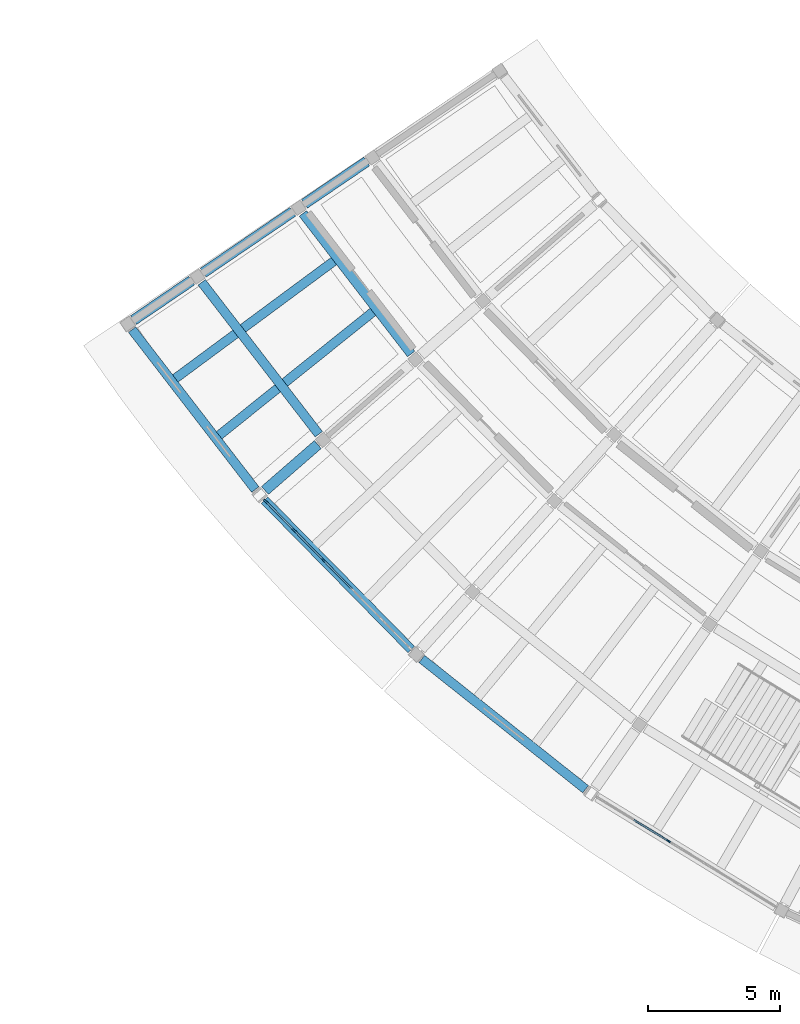
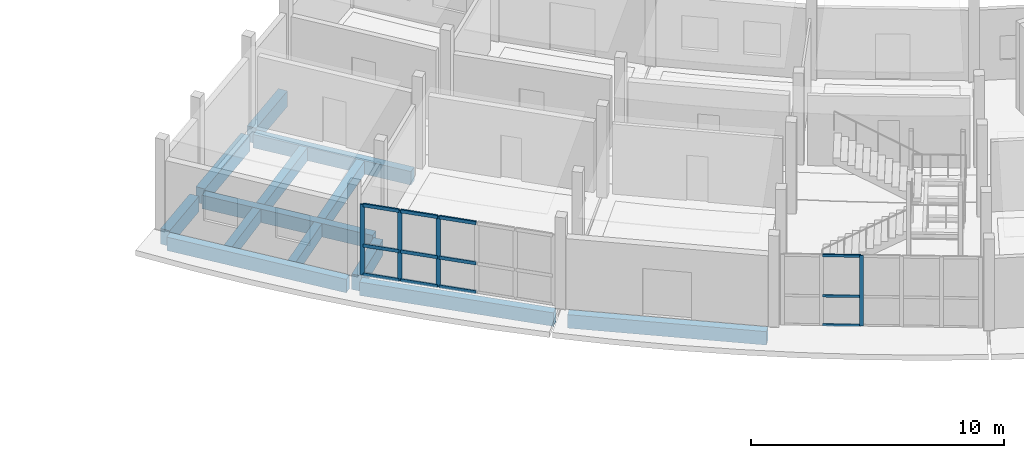
# One storey, part 26 of 92: 16 members, 11 beams, 2 elements without a shape of their own.
"""IFC4 building model written with IfcOpenShell, lengths in metres."""

import ifcopenshell
import ifcopenshell.guid

model = None  # the IFC model being written
_history = None  # IfcOwnerHistory: only IFC2X3 demands one
_inside = {}  # id of a spatial element -> (the spatial element, [elements in it])
_under = {}  # id of a project, library or spatial element -> (it, [spatial elements below it])
_declared = {}  # id of a project -> (the project, [libraries it declares])
_typed = {}  # id of a type object -> (the type object, [elements of that type])
_made_of = {}  # id of a material, layer set ... -> (it, [elements and type objects made of it])


def new_model(schema):
    """Start an empty IFC model of exactly this schema.

    Asked for "IFC4X3", IfcOpenShell would pick the latest addendum, in which some entities
    have other attributes; the version numbers below select the first issue.
    IFC2X3 requires an IfcOwnerHistory on every rooted entity: one is made here for all.
    """
    global model, _history
    if schema == "IFC4X3":
        model = ifcopenshell.file(schema_version=(4, 3, 0, 0))
    else:
        model = ifcopenshell.file(schema=schema)
    _inside.clear()
    _under.clear()
    _declared.clear()
    _typed.clear()
    _made_of.clear()
    _history = None
    if model.schema == "IFC2X3":
        org = make("IfcOrganization", Name="unknown")
        user = make(
            "IfcPersonAndOrganization",
            ThePerson=make("IfcPerson", FamilyName="unknown"),
            TheOrganization=org,
        )
        app = make(
            "IfcApplication",
            ApplicationDeveloper=org,
            Version="unknown",
            ApplicationFullName="unknown",
            ApplicationIdentifier="unknown",
        )
        _history = make(
            "IfcOwnerHistory",
            OwningUser=user,
            OwningApplication=app,
            ChangeAction="ADDED",
            CreationDate=0,
        )
    return model


def make(cls, **values):
    """One entity of the class cls with the attributes given. An attribute that is None is left unset."""
    return model.create_entity(
        cls, **{name: value for name, value in values.items() if value is not None}
    )


def rooted(cls, **values):
    """An entity with a GlobalId (a new one), such as an element, a storey or a relation."""
    return make(cls, GlobalId=ifcopenshell.guid.new(), OwnerHistory=_history, **values)


def si_unit(unit_type, name, prefix=None):
    """IfcSIUnit, for example si_unit("LENGTHUNIT", "METRE", prefix="MILLI")."""
    return make("IfcSIUnit", UnitType=unit_type, Prefix=prefix, Name=name)


def assignment(units):
    """IfcUnitAssignment: the units of a project."""
    return None if units is None else make("IfcUnitAssignment", Units=units)


def point(xyz):
    """IfcCartesianPoint."""
    return None if xyz is None else make("IfcCartesianPoint", Coordinates=xyz)


def direction(xyz):
    """IfcDirection."""
    return None if xyz is None else make("IfcDirection", DirectionRatios=xyz)


def frame(location, z_axis=None, x_axis=None):
    """IfcAxis2Placement3D, a coordinate frame: its origin and axes. An axis left out is left unset."""
    return make(
        "IfcAxis2Placement3D",
        Location=point(location),
        Axis=direction(z_axis),
        RefDirection=direction(x_axis),
    )


def frame_2d(location, x_axis=None):
    """IfcAxis2Placement2D, a coordinate frame in the plane: its origin and x axis."""
    return make(
        "IfcAxis2Placement2D", Location=point(location), RefDirection=direction(x_axis)
    )


def origin():
    """The frame at (0, 0, 0) with its axes left unset."""
    return frame((0.0, 0.0, 0.0))


def origin_2d():
    """The frame at (0, 0) in the plane with its x axis left unset."""
    return frame_2d((0.0, 0.0))


def place(relative_to, where):
    """IfcLocalPlacement: puts the frame where relative to a parent placement (None: the world)."""
    return make(
        "IfcLocalPlacement", PlacementRelTo=relative_to, RelativePlacement=where
    )


def context(
    kind, dimensions, precision=None, world=None, true_north=None, identifier=None
):
    """IfcGeometricRepresentationContext, for example the 3D "Model" context."""
    return make(
        "IfcGeometricRepresentationContext",
        ContextIdentifier=identifier,
        ContextType=kind,
        CoordinateSpaceDimension=dimensions,
        Precision=precision,
        WorldCoordinateSystem=world,
        TrueNorth=true_north,
    )


def subcontext(parent, identifier, kind, view, scale=None):
    """IfcGeometricRepresentationSubContext, for example "Body" below "Model"."""
    return make(
        "IfcGeometricRepresentationSubContext",
        ContextIdentifier=identifier,
        ContextType=kind,
        ParentContext=parent,
        TargetScale=scale,
        TargetView=view,
    )


def project(units=None, contexts=None):
    """IfcProject with its units and contexts."""
    return rooted(
        "IfcProject",
        Name="project",
        RepresentationContexts=contexts,
        UnitsInContext=assignment(units),
    )


def spatial(cls, under=None, at=None, **own):
    """A site, building, storey or space (cls), placed at a placement, below another one or the project."""
    s = rooted(cls, ObjectPlacement=at, **own)
    if under is not None:
        _under.setdefault(under.id(), (under, []))[1].append(s)
    return s


def profile(cls, at=None, kind="AREA", **sizes):
    """A parametric profile (cls). Its sizes go by their IFC names, for example OverallWidth=200.0."""
    return make(cls, ProfileType=kind, Position=at, **sizes)


def rectangle(**sizes):
    """IfcRectangleProfileDef."""
    return profile("IfcRectangleProfileDef", **sizes)


def extrude(swept, where, along, depth):
    """IfcExtrudedAreaSolid: the profile swept, set in the frame where, extruded along a direction by depth."""
    return make(
        "IfcExtrudedAreaSolid",
        SweptArea=swept,
        Position=where,
        ExtrudedDirection=direction(along),
        Depth=depth,
    )


def shape(context_of_items, identifier, shape_type, items):
    """IfcShapeRepresentation: the items that make up one representation, for example the "Body"."""
    return make(
        "IfcShapeRepresentation",
        ContextOfItems=context_of_items,
        RepresentationIdentifier=identifier,
        RepresentationType=shape_type,
        Items=items,
    )


def material(Name=None, Category=None):
    """IfcMaterial."""
    return make("IfcMaterial", Name=Name, Category=Category)


def layer(
    of_material, thickness, ventilated=None, Name=None, Category=None, Priority=None
):
    """IfcMaterialLayer: one layer of a wall or slab, of a material (None: an air gap)."""
    return make(
        "IfcMaterialLayer",
        Material=of_material,
        LayerThickness=thickness,
        IsVentilated=ventilated,
        Name=Name,
        Category=Category,
        Priority=Priority,
    )


def layer_set(layers, Name=None):
    """IfcMaterialLayerSet."""
    return make("IfcMaterialLayerSet", MaterialLayers=layers, LayerSetName=Name)


def material_profile(
    of_material, cross_section, Name=None, Category=None, Priority=None
):
    """IfcMaterialProfile: a cross section and its material."""
    return make(
        "IfcMaterialProfile",
        Name=Name,
        Material=of_material,
        Profile=cross_section,
        Priority=Priority,
        Category=Category,
    )


def profile_set(profiles, Name=None, composite=None):
    """IfcMaterialProfileSet."""
    return make(
        "IfcMaterialProfileSet",
        Name=Name,
        MaterialProfiles=profiles,
        CompositeProfile=composite,
    )


def made_of(thing, what):
    """Note that an element or type object is made of a material, layer set ...; save() writes the relation."""
    if what is not None:
        _made_of.setdefault(what.id(), (what, []))[1].append(thing)
    return thing


def type_object(cls, material=None, **own):
    """A type object (cls), such as IfcWallType, which elements share."""
    return made_of(rooted(cls, **own), material)


def element(
    cls,
    number,
    at=None,
    inside=None,
    cuts=None,
    type_object=None,
    material=None,
    context=None,
    identifier="Body",
    shape_type=None,
    held_by="IfcProductDefinitionShape",
    body=None,
    shapes=None,
    **own,
):
    """One element of the class cls, such as IfcWall. Its Tag is "e" and its number.

    at: its placement. inside: the storey or other place that contains it. cuts: it is an
    opening in that element (IfcRelVoidsElement). A single representation is given by context,
    identifier, shape_type and body (its items); several are given by shapes. held_by: the class
    of the entity that holds the representations. save() writes the other relations.
    """
    e = rooted(cls, Tag="e%d" % number, ObjectPlacement=at, **own)
    if body is not None:
        shapes = [shape(context, identifier, shape_type, body)]
    if shapes is not None:
        e.Representation = make(held_by, Representations=shapes)
    if inside is not None:
        _inside.setdefault(inside.id(), (inside, []))[1].append(e)
    if cuts is not None:
        rooted(
            "IfcRelVoidsElement", RelatingBuildingElement=cuts, RelatedOpeningElement=e
        )
    if type_object is not None:
        _typed.setdefault(type_object.id(), (type_object, []))[1].append(e)
    return made_of(e, material)


def aggregate(whole, parts):
    """IfcRelAggregates: a whole, such as a stair, and the parts it consists of."""
    return rooted("IfcRelAggregates", RelatingObject=whole, RelatedObjects=parts)


def save(model, path):
    """Write the relations noted so far, then the file.

    IfcRelAggregates (storeys below a building ...), IfcRelContainedInSpatialStructure (elements
    in a storey), IfcRelDefinesByType, IfcRelAssociatesMaterial and IfcRelDeclares: one each for
    every whole, place, type object, material and project.
    """
    for whole, parts in _under.values():
        aggregate(whole, parts)
    for where, things in _inside.values():
        rooted(
            "IfcRelContainedInSpatialStructure",
            RelatedElements=things,
            RelatingStructure=where,
        )
    for kind, things in _typed.values():
        rooted("IfcRelDefinesByType", RelatedObjects=things, RelatingType=kind)
    for what, things in _made_of.values():
        rooted("IfcRelAssociatesMaterial", RelatedObjects=things, RelatingMaterial=what)
    for by, libraries in _declared.values():
        rooted("IfcRelDeclares", RelatingContext=by, RelatedDefinitions=libraries)
    model.write(path)


model = new_model("IFC4")

# Units and contexts
model_context = context("Model", 3, precision=1e-05, world=origin(), true_north=direction((0.0, 1.0)))
body_context = subcontext(model_context, "Body", "Model", "MODEL_VIEW")
ifc_project = project(units=[si_unit("LENGTHUNIT", "METRE"), si_unit("AREAUNIT", "SQUARE_METRE"), si_unit("VOLUMEUNIT", "CUBIC_METRE"), si_unit("PLANEANGLEUNIT", "RADIAN"), si_unit("MASSUNIT", "GRAM", prefix="KILO")], contexts=[model_context])

# Site, building, storey
site_placement = place(None, origin())
site = spatial("IfcSite", under=ifc_project, at=site_placement, CompositionType="ELEMENT")
building_placement = place(site_placement, origin())
building = spatial("IfcBuilding", under=site, at=building_placement, Name="Caldaven Crescent School", CompositionType="ELEMENT")
storey_placement = place(building_placement, origin())
storey = spatial("IfcBuildingStorey", under=building, at=storey_placement, Name="L00", CompositionType="ELEMENT", Elevation=0.0)

# Beams
ifc_material_1 = material(Name="Concrete C30/37", Category="concrete")
ifc_material_profile_1 = material_profile(ifc_material_1, rectangle(XDim=0.35009765625, YDim=0.64990234375, at=origin_2d()), Name="RC 350x650")
ifc_profile_set_1 = profile_set([ifc_material_profile_1], Name="Concrete C30/37")
beam_type_1 = type_object("IfcBeamType", Name="BM-RC35", PredefinedType="BEAM", material=ifc_profile_set_1)
beam_1_placement = place(storey_placement, frame((37.155029296875, 61.074462890625, -0.5849609375), z_axis=(0.61039141792, -0.792099941251, 0.0), x_axis=(0.792099941251, 0.61039141792, 0.0)))
element("IfcBeam", 1, at=beam_1_placement, inside=storey, type_object=beam_type_1, Name="BMT-V4W-L00-0745", PredefinedType="BEAM", context=body_context, shape_type="SweptSolid", body=[
    extrude(rectangle(XDim=0.35009765625, YDim=0.64990234375, at=origin_2d()), origin(), (0.0, 0.0, 1.0), 6.74072265625),
])
beam_2_placement = place(storey_placement, frame((33.310791015625, 58.45849609375, -0.5849609375), z_axis=(0.610382239091, -0.792107014362, 0.0), x_axis=(0.792107014362, 0.610382239091, 0.0)))
element("IfcBeam", 2, at=beam_2_placement, inside=storey, type_object=beam_type_1, Name="BMT-V4W-L00-0746", PredefinedType="BEAM", context=body_context, shape_type="SweptSolid", body=[
    extrude(rectangle(XDim=0.35009765625, YDim=0.64990234375, at=origin_2d()), origin(), (0.0, 0.0, 1.0), 7.28955078125),
])
for number, where, z_axis, x_axis, name in (
    (3, (38.3349609375, 59.264892578125, -0.5849609375), (-0.80397172981, -0.59466751859, 0.0), (0.59466751859, -0.80397172981, 0.0), "JSR-V4W-L00-0749"),
    (4, (39.8203125, 57.337158203125, -0.5849609375), (-0.779924415741, -0.625873713884, 0.0), (0.625873713884, -0.779924415741, 0.0), "JSR-V4W-L00-0751"),
):
    element("IfcBeam", number, at=place(storey_placement, frame(where, z_axis=z_axis, x_axis=x_axis)), inside=storey, type_object=beam_type_1, Name=name, PredefinedType="BEAM", context=body_context, shape_type="SweptSolid", body=[
        extrude(rectangle(XDim=0.35009765625, YDim=0.64990234375, at=origin_2d()), origin(), (0.0, 0.0, 1.0), 7.497802734375),
    ])
ifc_material_2 = material(Name="Concrete C35/45", Category="concrete")
ifc_material_profile_2 = material_profile(ifc_material_2, rectangle(XDim=0.39990234375, YDim=0.75, at=origin_2d()), Name="RC 400x750")
ifc_profile_set_2 = profile_set([ifc_material_profile_2], Name="Concrete C35/45")
beam_type_2 = type_object("IfcBeamType", Name="BM-RC40", PredefinedType="BEAM", material=ifc_profile_set_2)
beam_3_placement = place(storey_placement, frame((39.577880859375, 63.04931640625, -0.635009765625), z_axis=(-0.826759751859, -0.562555164145, 0.0), x_axis=(0.562555164145, -0.826759751859, 0.0)))
element("IfcBeam", 5, at=beam_3_placement, inside=storey, type_object=beam_type_2, Name="BMR-V4W-L00-0720", PredefinedType="BEAM", context=body_context, shape_type="SweptSolid", body=[
    extrude(rectangle(XDim=0.39990234375, YDim=0.75, at=origin_2d()), origin(), (0.0, 0.0, 1.0), 2.85986328125),
])
beam_4_placement = place(storey_placement, frame((36.76708984375, 61.136474609375, -0.635009765625), z_axis=(-0.826739740535, -0.562584572683, 0.0), x_axis=(0.562584572683, -0.826739740535, 0.0)))
element("IfcBeam", 6, at=beam_4_placement, inside=storey, type_object=beam_type_2, Name="BMR-V4W-L00-0721", PredefinedType="BEAM", context=body_context, shape_type="SweptSolid", body=[
    extrude(rectangle(XDim=0.39990234375, YDim=0.75, at=origin_2d()), origin(), (0.0, 0.0, 1.0), 4.110107421875),
])
for number, where, z_axis, x_axis, name in (
    (7, (32.922607421875, 58.5205078125, -0.635009765625), (-0.82674549188, -0.562576120765, 0.0), (0.562576120765, -0.82674549188, 0.0), "BMR-V4W-L00-0722"),
    (8, (37.72119140625, 52.29345703125, -0.635009765625), (-0.754716162518, -0.65605145685, 0.0), (0.65605145685, -0.754716162518, 0.0), "BMR-V4W-L00-0726"),
):
    element("IfcBeam", number, at=place(storey_placement, frame(where, z_axis=z_axis, x_axis=x_axis)), inside=storey, type_object=beam_type_2, Name=name, PredefinedType="BEAM", context=body_context, shape_type="SweptSolid", body=[
        extrude(rectangle(XDim=0.39990234375, YDim=0.75, at=origin_2d()), origin(), (0.0, 0.0, 1.0), 2.659912109375),
    ])

# Curtain wall, member
ifc_material_3 = material(Name="Anodised aluminium AA 6063-T6 and low-E double glazing", Category="aluminium")
ifc_layer_1 = layer(ifc_material_3, 0.2099609375)
ifc_layer_set_1 = layer_set([ifc_layer_1], Name="Anodised aluminium AA 6063-T6 and low-E double glazing")
curtain_wall_type_1 = type_object("IfcCurtainWallType", Name="CW-SYS3", PredefinedType="NOTDEFINED", material=ifc_layer_set_1)
curtain_wall_1_placement = place(storey_placement, origin())
curtain_wall_1 = element("IfcCurtainWall", 9, at=curtain_wall_1_placement, inside=storey, type_object=curtain_wall_type_1, Name="CW-L00-106", PredefinedType="NOTDEFINED")
ifc_material_4 = material(Name="Anodised aluminium AA 6063-T6", Category="aluminium")
ifc_material_profile_3 = material_profile(ifc_material_4, rectangle(XDim=0.06005859375, YDim=0.14990234375, at=origin_2d()), Name="CWM 60x150")
ifc_profile_set_3 = profile_set([ifc_material_profile_3], Name="Anodised aluminium AA 6063-T6")
member_type_1 = type_object("IfcMemberType", Name="CWM-T1", PredefinedType="MULLION", material=ifc_profile_set_3)
member_1_placement = place(storey_placement, frame((51.05517578125, 37.221923828125, 0.0), z_axis=(0.0, 0.0, 1.0), x_axis=(0.522499361435, 0.852639676124, 0.0)))
member_1 = element("IfcMember", 10, at=member_1_placement, type_object=member_type_1, Name="CW3 mullion 3", PredefinedType="MULLION", context=body_context, shape_type="SweptSolid", body=[
    extrude(rectangle(XDim=0.06005859375, YDim=0.14990234375, at=origin_2d()), origin(), (0.0, 0.0, 1.0), 3.39990234375),
])

# Curtain wall, members
ifc_layer_2 = layer(ifc_material_3, 0.169921875)
ifc_layer_set_2 = layer_set([ifc_layer_2], Name="Anodised aluminium AA 6063-T6 and low-E double glazing")
curtain_wall_type_2 = type_object("IfcCurtainWallType", Name="CW-SYS1", PredefinedType="NOTDEFINED", material=ifc_layer_set_2)
curtain_wall_2_placement = place(storey_placement, origin())
curtain_wall_2 = element("IfcCurtainWall", 11, at=curtain_wall_2_placement, inside=storey, type_object=curtain_wall_type_2, Name="CW-L00-105", PredefinedType="NOTDEFINED")
ifc_material_profile_4 = material_profile(ifc_material_4, rectangle(XDim=0.06494140625, YDim=0.179931640625, at=origin_2d()), Name="CWM 65x180")
ifc_profile_set_4 = profile_set([ifc_material_profile_4], Name="Anodised aluminium AA 6063-T6")
member_type_2 = type_object("IfcMemberType", Name="CWM-T2", PredefinedType="MULLION", material=ifc_profile_set_4)
member_2_placement = place(storey_placement, frame((35.742919921875, 50.134033203125, 0.0), z_axis=(0.0, 0.0, 1.0), x_axis=(0.713250774972, 0.700908932745, 0.0)))
member_2 = element("IfcMember", 12, at=member_2_placement, type_object=member_type_2, Name="CW1 mullion 1", PredefinedType="MULLION", context=body_context, shape_type="SweptSolid", body=[
    extrude(rectangle(XDim=0.06494140625, YDim=0.179931640625, at=origin_2d()), origin(), (0.0, 0.0, 1.0), 3.39990234375),
])
member_3_placement = place(storey_placement, frame((36.826416015625, 49.03125, 0.0), z_axis=(0.0, 0.0, 1.0), x_axis=(0.713250774972, 0.700908932745, 0.0)))
member_3 = element("IfcMember", 13, at=member_3_placement, type_object=member_type_2, Name="CW1 mullion 2", PredefinedType="MULLION", context=body_context, shape_type="SweptSolid", body=[
    extrude(rectangle(XDim=0.06494140625, YDim=0.179931640625, at=origin_2d()), origin(), (0.0, 0.0, 1.0), 3.39990234375),
])
member_4_placement = place(storey_placement, frame((37.932861328125, 47.905517578125, 0.0), z_axis=(0.0, 0.0, 1.0), x_axis=(0.713250774972, 0.700908932745, 0.0)))
member_4 = element("IfcMember", 14, at=member_4_placement, type_object=member_type_2, Name="CW1 mullion 3", PredefinedType="MULLION", context=body_context, shape_type="SweptSolid", body=[
    extrude(rectangle(XDim=0.06494140625, YDim=0.179931640625, at=origin_2d()), origin(), (0.0, 0.0, 1.0), 3.39990234375),
])

# Member
ifc_material_profile_5 = material_profile(ifc_material_4, rectangle(XDim=0.06005859375, YDim=0.1201171875, at=origin_2d()), Name="CWT 60x120")
ifc_profile_set_5 = profile_set([ifc_material_profile_5], Name="Anodised aluminium AA 6063-T6")
member_type_3 = type_object("IfcMemberType", Name="CWT-T1", PredefinedType="USERDEFINED", material=ifc_profile_set_5)
member_5_placement = place(storey_placement, frame((49.73486328125, 38.03076171875, 0.030029296875), z_axis=(0.852689056605, -0.522418771433, 0.0), x_axis=(0.522418771433, 0.852689056605, 0.0)))
member_5 = element("IfcMember", 15, at=member_5_placement, type_object=member_type_3, Name="CW3 transom 2.1", ObjectType="TRANSOM", PredefinedType="USERDEFINED", context=body_context, shape_type="SweptSolid", body=[
    extrude(rectangle(XDim=0.06005859375, YDim=0.1201171875, at=origin_2d()), origin(), (0.0, 0.0, 1.0), 1.518310546875),
])

member_6_placement = place(storey_placement, frame((49.73486328125, 38.03076171875, 1.427978515625), z_axis=(0.852689056605, -0.522418771433, 0.0), x_axis=(0.522418771433, 0.852689056605, 0.0)))
member_6 = element("IfcMember", 16, at=member_6_placement, type_object=member_type_3, Name="CW3 transom 2.2", ObjectType="TRANSOM", PredefinedType="USERDEFINED", context=body_context, shape_type="SweptSolid", body=[
    extrude(rectangle(XDim=0.06005859375, YDim=0.1201171875, at=origin_2d()), origin(), (0.0, 0.0, 1.0), 1.518310546875),
])

member_7_placement = place(storey_placement, frame((49.73486328125, 38.03076171875, 3.3701171875), z_axis=(0.852689056605, -0.522418771433, 0.0), x_axis=(0.522418771433, 0.852689056605, 0.0)))
member_7 = element("IfcMember", 17, at=member_7_placement, type_object=member_type_3, Name="CW3 transom 2.3", ObjectType="TRANSOM", PredefinedType="USERDEFINED", context=body_context, shape_type="SweptSolid", body=[
    extrude(rectangle(XDim=0.06005859375, YDim=0.1201171875, at=origin_2d()), origin(), (0.0, 0.0, 1.0), 1.518310546875),
])

aggregate(curtain_wall_1, [member_1, member_5, member_6, member_7])

ifc_material_profile_6 = material_profile(ifc_material_4, rectangle(XDim=0.070068359375, YDim=0.159912109375, at=origin_2d()), Name="CWT 70x160")
ifc_profile_set_6 = profile_set([ifc_material_profile_6], Name="Anodised aluminium AA 6063-T6")
member_type_4 = type_object("IfcMemberType", Name="CWT-T3", PredefinedType="USERDEFINED", material=ifc_profile_set_6)
member_8_placement = place(storey_placement, frame((35.765869140625, 50.11083984375, 0.034912109375), z_axis=(0.700814398629, -0.71334366099, 0.0), x_axis=(0.71334366099, 0.700814398629, 0.0)))
member_8 = element("IfcMember", 18, at=member_8_placement, type_object=member_type_4, Name="CW1 transom 1.1", ObjectType="TRANSOM", PredefinedType="USERDEFINED", context=body_context, shape_type="SweptSolid", body=[
    extrude(rectangle(XDim=0.070068359375, YDim=0.159912109375, at=origin_2d()), origin(), (0.0, 0.0, 1.0), 1.48095703125),
])

member_9_placement = place(storey_placement, frame((35.765869140625, 50.11083984375, 1.427978515625), z_axis=(0.700814398629, -0.71334366099, 0.0), x_axis=(0.71334366099, 0.700814398629, 0.0)))
member_9 = element("IfcMember", 19, at=member_9_placement, type_object=member_type_4, Name="CW1 transom 1.2", ObjectType="TRANSOM", PredefinedType="USERDEFINED", context=body_context, shape_type="SweptSolid", body=[
    extrude(rectangle(XDim=0.070068359375, YDim=0.159912109375, at=origin_2d()), origin(), (0.0, 0.0, 1.0), 1.48095703125),
])

member_10_placement = place(storey_placement, frame((35.765869140625, 50.11083984375, 3.364990234375), z_axis=(0.700814398629, -0.71334366099, 0.0), x_axis=(0.71334366099, 0.700814398629, 0.0)))
member_10 = element("IfcMember", 20, at=member_10_placement, type_object=member_type_4, Name="CW1 transom 1.3", ObjectType="TRANSOM", PredefinedType="USERDEFINED", context=body_context, shape_type="SweptSolid", body=[
    extrude(rectangle(XDim=0.070068359375, YDim=0.159912109375, at=origin_2d()), origin(), (0.0, 0.0, 1.0), 1.48095703125),
])

member_11_placement = place(storey_placement, frame((36.849365234375, 49.008056640625, 0.034912109375), z_axis=(0.700867846191, -0.713291148253, 0.0), x_axis=(0.713291148253, 0.700867846191, 0.0)))
member_11 = element("IfcMember", 21, at=member_11_placement, type_object=member_type_4, Name="CW1 transom 2.1", ObjectType="TRANSOM", PredefinedType="USERDEFINED", context=body_context, shape_type="SweptSolid", body=[
    extrude(rectangle(XDim=0.070068359375, YDim=0.159912109375, at=origin_2d()), origin(), (0.0, 0.0, 1.0), 1.51318359375),
])

member_12_placement = place(storey_placement, frame((36.849365234375, 49.008056640625, 1.427978515625), z_axis=(0.700867846191, -0.713291148253, 0.0), x_axis=(0.713291148253, 0.700867846191, 0.0)))
member_12 = element("IfcMember", 22, at=member_12_placement, type_object=member_type_4, Name="CW1 transom 2.2", ObjectType="TRANSOM", PredefinedType="USERDEFINED", context=body_context, shape_type="SweptSolid", body=[
    extrude(rectangle(XDim=0.070068359375, YDim=0.159912109375, at=origin_2d()), origin(), (0.0, 0.0, 1.0), 1.51318359375),
])

member_13_placement = place(storey_placement, frame((36.849365234375, 49.008056640625, 3.364990234375), z_axis=(0.700867846191, -0.713291148253, 0.0), x_axis=(0.713291148253, 0.700867846191, 0.0)))
member_13 = element("IfcMember", 23, at=member_13_placement, type_object=member_type_4, Name="CW1 transom 2.3", ObjectType="TRANSOM", PredefinedType="USERDEFINED", context=body_context, shape_type="SweptSolid", body=[
    extrude(rectangle(XDim=0.070068359375, YDim=0.159912109375, at=origin_2d()), origin(), (0.0, 0.0, 1.0), 1.51318359375),
])

member_14_placement = place(storey_placement, frame((37.95556640625, 47.88232421875, 0.034912109375), z_axis=(0.700949920328, -0.713210494309, 0.0), x_axis=(0.713210494309, 0.700949920328, 0.0)))
member_14 = element("IfcMember", 24, at=member_14_placement, type_object=member_type_4, Name="CW1 transom 3.1", ObjectType="TRANSOM", PredefinedType="USERDEFINED", context=body_context, shape_type="SweptSolid", body=[
    extrude(rectangle(XDim=0.070068359375, YDim=0.159912109375, at=origin_2d()), origin(), (0.0, 0.0, 1.0), 1.513427734375),
])

member_15_placement = place(storey_placement, frame((37.95556640625, 47.88232421875, 1.427978515625), z_axis=(0.700949920328, -0.713210494309, 0.0), x_axis=(0.713210494309, 0.700949920328, 0.0)))
member_15 = element("IfcMember", 25, at=member_15_placement, type_object=member_type_4, Name="CW1 transom 3.2", ObjectType="TRANSOM", PredefinedType="USERDEFINED", context=body_context, shape_type="SweptSolid", body=[
    extrude(rectangle(XDim=0.070068359375, YDim=0.159912109375, at=origin_2d()), origin(), (0.0, 0.0, 1.0), 1.513427734375),
])

member_16_placement = place(storey_placement, frame((37.95556640625, 47.88232421875, 3.364990234375), z_axis=(0.700949920328, -0.713210494309, 0.0), x_axis=(0.713210494309, 0.700949920328, 0.0)))
member_16 = element("IfcMember", 26, at=member_16_placement, type_object=member_type_4, Name="CW1 transom 3.3", ObjectType="TRANSOM", PredefinedType="USERDEFINED", context=body_context, shape_type="SweptSolid", body=[
    extrude(rectangle(XDim=0.070068359375, YDim=0.159912109375, at=origin_2d()), origin(), (0.0, 0.0, 1.0), 1.513427734375),
])

aggregate(curtain_wall_2, [member_2, member_3, member_4, member_8, member_9, member_10, member_11, member_12, member_13, member_14, member_15, member_16])

# Beams
ifc_material_profile_7 = material_profile(ifc_material_1, rectangle(XDim=0.35009765625, YDim=0.64990234375, at=origin_2d()), Name="RC 350x650")
ifc_profile_set_7 = profile_set([ifc_material_profile_7], Name="Concrete C30/37")
beam_type_3 = type_object("IfcBeamType", Name="SP-RC35", PredefinedType="SPANDREL", material=ifc_profile_set_7)
beam_5_placement = place(storey_placement, frame((30.6650390625, 56.658203125, -0.5849609375), z_axis=(0.610402993651, -0.792091020869, 0.0), x_axis=(0.792091020869, 0.610402993651, 0.0)))
element("IfcBeam", 27, at=beam_5_placement, inside=storey, type_object=beam_type_3, Name="BMT-V4W-L00-0747", PredefinedType="SPANDREL", context=body_context, shape_type="SweptSolid", body=[
    extrude(rectangle(XDim=0.35009765625, YDim=0.64990234375, at=origin_2d()), origin(), (0.0, 0.0, 1.0), 7.667236328125),
])
for number, where, z_axis, x_axis, name in (
    (28, (35.69921875, 50.178466796875, -0.5849609375), (0.700908637666, -0.713251064945, 0.0), (0.713251064945, 0.700908637666, 0.0), "BMT-V4W-L00-0756"),
    (29, (41.67333984375, 44.146240234375, -0.5849609375), (0.782603093873, -0.622521001623, 0.0), (0.622521001623, 0.782603093873, 0.0), "BMT-V4W-L00-0765"),
):
    element("IfcBeam", number, at=place(storey_placement, frame(where, z_axis=z_axis, x_axis=x_axis)), inside=storey, type_object=beam_type_3, Name=name, PredefinedType="SPANDREL", context=body_context, shape_type="SweptSolid", body=[
        extrude(rectangle(XDim=0.35009765625, YDim=0.64990234375, at=origin_2d()), origin(), (0.0, 0.0, 1.0), 7.951904296875),
    ])

save(model, "model.ifc")
